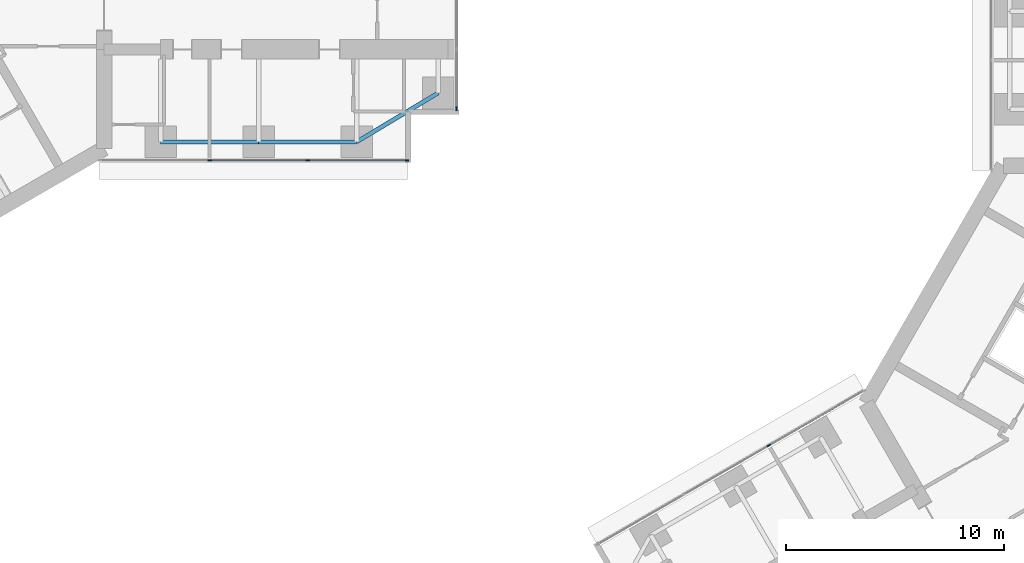
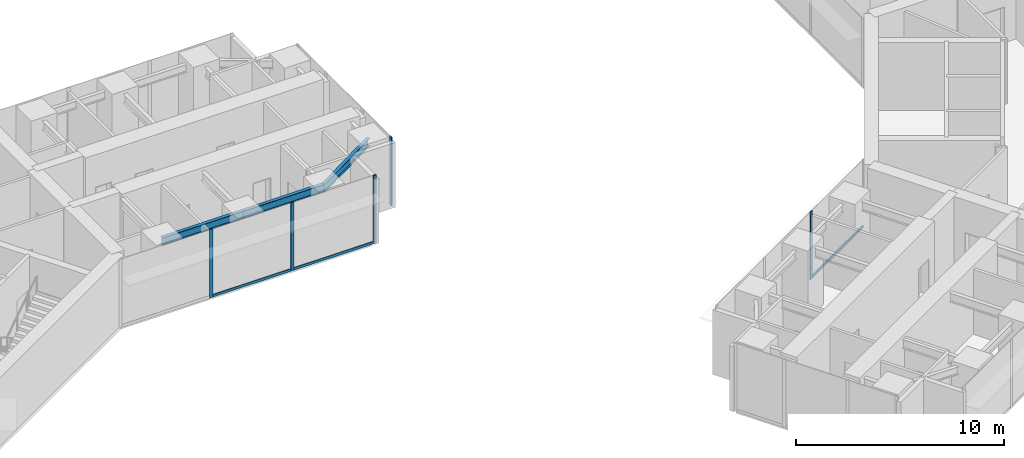
# One storey, part 5 of 24: 8 members, 3 beams, 3 elements without a shape of their own.
"""IFC4 building model written with IfcOpenShell, lengths in metres."""

from ifc_helpers import new_model, si_unit, direction, frame, origin, origin_2d, place, context, subcontext, project, spatial, rectangle, i_section, extrude, material, material_profile, profile_set, type_object, element, aggregate, save


model = new_model("IFC4")

# Units and contexts
model_context = context("Model", 3, precision=1e-05, world=origin(), true_north=direction((0.0, 1.0)))
body_context = subcontext(model_context, "Body", "Model", "MODEL_VIEW")
ifc_project = project(units=[si_unit("LENGTHUNIT", "METRE"), si_unit("AREAUNIT", "SQUARE_METRE"), si_unit("VOLUMEUNIT", "CUBIC_METRE"), si_unit("PLANEANGLEUNIT", "RADIAN"), si_unit("MASSUNIT", "GRAM", prefix="KILO")], contexts=[model_context])

# Site, building, storey
site_placement = place(None, origin())
site = spatial("IfcSite", under=ifc_project, at=site_placement, CompositionType="ELEMENT")
building_placement = place(site_placement, origin())
building = spatial("IfcBuilding", under=site, at=building_placement, Name="Upepo Twin Towers", CompositionType="ELEMENT")
storey_placement = place(building_placement, frame((0.0, 0.0, 56.5)))
storey = spatial("IfcBuildingStorey", under=building, at=storey_placement, Name="L13", CompositionType="ELEMENT", Elevation=56.5)

# Beams
ifc_material_1 = material(Name="Steel S355", Category="steel")
ifc_material_profile_1 = material_profile(ifc_material_1, i_section(OverallWidth=0.1904296875, OverallDepth=0.45703125, WebThickness=0.009033203125, FlangeThickness=0.014404296875, FilletRadius=0.01025390625, at=origin_2d()), Name="UB 457x191x74")
ifc_profile_set_1 = profile_set([ifc_material_profile_1], Name="Steel S355")
beam_type = type_object("IfcBeamType", Name="Beam UB 457x191x74", PredefinedType="BEAM", material=ifc_profile_set_1)
for number, where, z_axis, x_axis, name in (
    (1, (13.5, -6.0, 3.571533203125), (1.0, 0.0, 0.0), (0.0, 1.0, 0.0), "T1 edge beam AR 13.5-18.0"),
    (2, (18.0, -6.0, 3.571533203125), (1.0, 0.0, 0.0), (0.0, 1.0, 0.0), "T1 edge beam AR 18.0-22.5"),
):
    element("IfcBeam", number, at=place(storey_placement, frame(where, z_axis=z_axis, x_axis=x_axis)), inside=storey, type_object=beam_type, Name=name, PredefinedType="BEAM", context=body_context, shape_type="SweptSolid", body=[
        extrude(i_section(OverallWidth=0.1904296875, OverallDepth=0.45703125, WebThickness=0.009033203125, FlangeThickness=0.014404296875, FilletRadius=0.01025390625, at=origin_2d()), origin(), (0.0, 0.0, 1.0), 4.5),
    ])
beam_placement = place(storey_placement, frame((22.5, -6.0, 3.571533203125), z_axis=(0.857492925713, 0.514495755428, 0.0), x_axis=(-0.514495755428, 0.857492925713, 0.0)))
element("IfcBeam", 3, at=beam_placement, inside=storey, type_object=beam_type, Name="T1 nose edge beam AR", PredefinedType="BEAM", context=body_context, shape_type="SweptSolid", body=[
    extrude(i_section(OverallWidth=0.1904296875, OverallDepth=0.45703125, WebThickness=0.009033203125, FlangeThickness=0.014404296875, FilletRadius=0.01025390625, at=origin_2d()), origin(), (0.0, 0.0, 1.0), 4.373291015625),
])

# Curtain wall, members
ifc_material_2 = material(Name="Aluminium and fritted glass", Category="aluminium")
curtain_wall_type = type_object("IfcCurtainWallType", Name="Tower curtain wall TW1, fritted glass", PredefinedType="NOTDEFINED", material=ifc_material_2)
curtain_wall_1_placement = place(storey_placement, origin())
curtain_wall_1 = element("IfcCurtainWall", 4, at=curtain_wall_1_placement, inside=storey, type_object=curtain_wall_type, Name="T1 L13 wing A flank R curtain wall", PredefinedType="NOTDEFINED")
ifc_material_3 = material(Name="Aluminium mullion", Category="aluminium")
ifc_material_profile_2 = material_profile(ifc_material_3, rectangle(XDim=0.06494140625, YDim=0.179931640625, at=origin_2d()), Name="MULLION 65x180")
ifc_profile_set_2 = profile_set([ifc_material_profile_2], Name="Aluminium mullion")
member_type_1 = type_object("IfcMemberType", Name="Mullion 65x180 TW1", PredefinedType="MULLION", material=ifc_profile_set_2)
member_1_placement = place(storey_placement, frame((24.8173828125, -6.85009765625, 0.0), z_axis=(0.0, 0.0, 1.0), x_axis=(0.0, -1.0, 0.0)))
member_1 = element("IfcMember", 5, at=member_1_placement, type_object=member_type_1, Name="T1 L13 wing A flank R curtain wall mullion 1", PredefinedType="MULLION", context=body_context, shape_type="SweptSolid", body=[
    extrude(rectangle(XDim=0.06494140625, YDim=0.179931640625, at=origin_2d()), origin(), (0.0, 0.0, 1.0), 4.0),
])
member_2_placement = place(storey_placement, frame((20.25, -6.85009765625, 0.0), z_axis=(0.0, 0.0, 1.0), x_axis=(0.0, -1.0, 0.0)))
member_2 = element("IfcMember", 6, at=member_2_placement, type_object=member_type_1, Name="T1 L13 wing A flank R curtain wall mullion 2", PredefinedType="MULLION", context=body_context, shape_type="SweptSolid", body=[
    extrude(rectangle(XDim=0.06494140625, YDim=0.179931640625, at=origin_2d()), origin(), (0.0, 0.0, 1.0), 4.0),
])
member_3_placement = place(storey_placement, frame((15.75, -6.85009765625, 0.0), z_axis=(0.0, 0.0, 1.0), x_axis=(0.0, -1.0, 0.0)))
member_3 = element("IfcMember", 7, at=member_3_placement, type_object=member_type_1, Name="T1 L13 wing A flank R curtain wall mullion 3", PredefinedType="MULLION", context=body_context, shape_type="SweptSolid", body=[
    extrude(rectangle(XDim=0.06494140625, YDim=0.179931640625, at=origin_2d()), origin(), (0.0, 0.0, 1.0), 4.0),
])

# Curtain wall, member
curtain_wall_2_placement = place(storey_placement, origin())
curtain_wall_2 = element("IfcCurtainWall", 8, at=curtain_wall_2_placement, inside=storey, type_object=curtain_wall_type, Name="T1 L13 wing A nose curtain wall", PredefinedType="NOTDEFINED")
member_4_placement = place(storey_placement, frame((27.10009765625, -4.467529296875, 0.0), z_axis=(0.0, 0.0, 1.0), x_axis=(-1.0, 0.0, 0.0)))
member_4 = element("IfcMember", 9, at=member_4_placement, type_object=member_type_1, Name="T1 L13 wing A nose curtain wall mullion 1", PredefinedType="MULLION", context=body_context, shape_type="SweptSolid", body=[
    extrude(rectangle(XDim=0.06494140625, YDim=0.179931640625, at=origin_2d()), origin(), (0.0, 0.0, 1.0), 4.0),
])
aggregate(curtain_wall_2, [member_4])

curtain_wall_3_placement = place(storey_placement, origin())
curtain_wall_3 = element("IfcCurtainWall", 10, at=curtain_wall_3_placement, inside=storey, type_object=curtain_wall_type, Name="T2 L13 wing B flank R curtain wall", PredefinedType="NOTDEFINED")
member_5_placement = place(storey_placement, frame((41.43505859375, -19.942626953125, 0.0), z_axis=(0.0, 0.0, 1.0), x_axis=(-0.500000024426, 0.866025389682, 0.0)))
member_5 = element("IfcMember", 11, at=member_5_placement, type_object=member_type_1, Name="T2 L13 wing B flank R curtain wall mullion 3", PredefinedType="MULLION", context=body_context, shape_type="SweptSolid", body=[
    extrude(rectangle(XDim=0.06494140625, YDim=0.179931640625, at=origin_2d()), origin(), (0.0, 0.0, 1.0), 4.0),
])

# Member
ifc_material_4 = material(Name="Aluminium transom", Category="aluminium")
ifc_material_profile_3 = material_profile(ifc_material_4, rectangle(XDim=0.06494140625, YDim=0.14990234375, at=origin_2d()), Name="TRANSOM 65x150")
ifc_profile_set_3 = profile_set([ifc_material_profile_3], Name="Aluminium transom")
member_type_2 = type_object("IfcMemberType", Name="Transom 65x150 TW1", PredefinedType="USERDEFINED", material=ifc_profile_set_3)
member_6_placement = place(storey_placement, frame((24.784912109375, -6.85009765625, 0.074951171875), z_axis=(-1.0, 0.0, 0.0), x_axis=(0.0, -1.0, 0.0)))
member_6 = element("IfcMember", 12, at=member_6_placement, type_object=member_type_2, Name="T1 L13 wing A flank R curtain wall transom 1", ObjectType="TRANSOM", PredefinedType="USERDEFINED", context=body_context, shape_type="SweptSolid", body=[
    extrude(rectangle(XDim=0.06494140625, YDim=0.14990234375, at=origin_2d()), origin(), (0.0, 0.0, 1.0), 4.50244140625),
])

member_7_placement = place(storey_placement, frame((20.217529296875, -6.85009765625, 0.074951171875), z_axis=(-1.0, 0.0, 0.0), x_axis=(0.0, -1.0, 0.0)))
member_7 = element("IfcMember", 13, at=member_7_placement, type_object=member_type_2, Name="T1 L13 wing A flank R curtain wall transom 2", ObjectType="TRANSOM", PredefinedType="USERDEFINED", context=body_context, shape_type="SweptSolid", body=[
    extrude(rectangle(XDim=0.06494140625, YDim=0.14990234375, at=origin_2d()), origin(), (0.0, 0.0, 1.0), 4.43505859375),
])

aggregate(curtain_wall_1, [member_1, member_2, member_3, member_6, member_7])

member_8_placement = place(storey_placement, frame((41.463134765625, -19.926513671875, 0.074951171875), z_axis=(0.866034933967, 0.499983492876, 0.0), x_axis=(-0.499983492876, 0.866034933967, 0.0)))
member_8 = element("IfcMember", 14, at=member_8_placement, type_object=member_type_2, Name="T2 L13 wing B flank R curtain wall transom 3", ObjectType="TRANSOM", PredefinedType="USERDEFINED", context=body_context, shape_type="SweptSolid", body=[
    extrude(rectangle(XDim=0.06494140625, YDim=0.14990234375, at=origin_2d()), origin(), (0.0, 0.0, 1.0), 4.965576171875),
])

aggregate(curtain_wall_3, [member_5, member_8])

save(model, "model.ifc")
